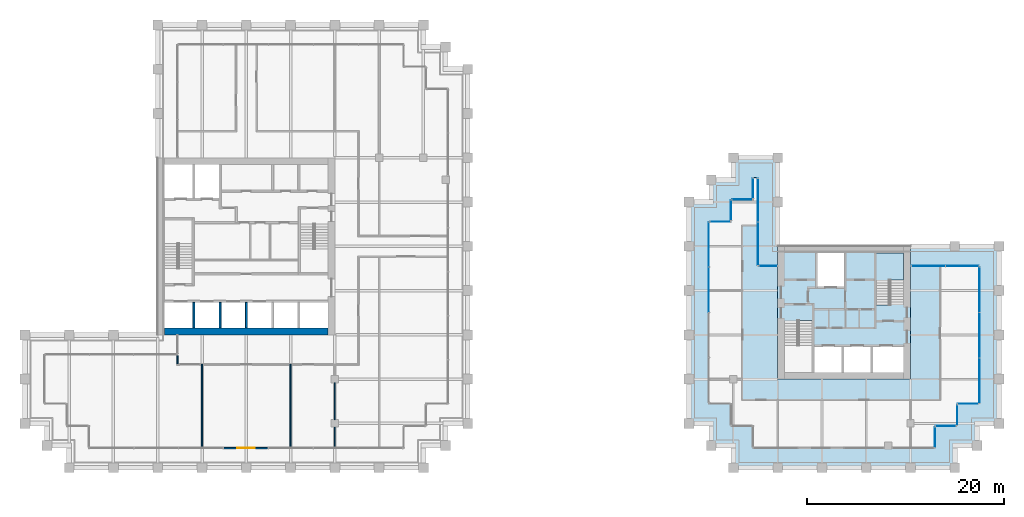
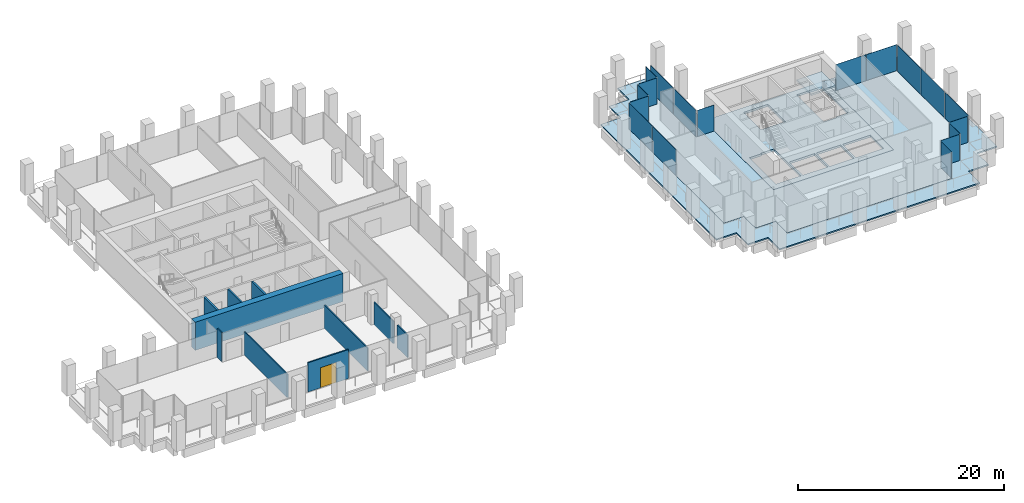
# One storey, part 40 of 46: 18 plates, 10 walls, 4 slabs, 1 door, 1 opening, 14 elements without a shape of their own.
"""IFC4 building model written with IfcOpenShell, lengths in metres."""

import ifcopenshell
import ifcopenshell.guid

model = None  # the IFC model being written
_history = None  # IfcOwnerHistory: only IFC2X3 demands one
_inside = {}  # id of a spatial element -> (the spatial element, [elements in it])
_under = {}  # id of a project, library or spatial element -> (it, [spatial elements below it])
_declared = {}  # id of a project -> (the project, [libraries it declares])
_typed = {}  # id of a type object -> (the type object, [elements of that type])
_made_of = {}  # id of a material, layer set ... -> (it, [elements and type objects made of it])


def new_model(schema):
    """Start an empty IFC model of exactly this schema.

    Asked for "IFC4X3", IfcOpenShell would pick the latest addendum, in which some entities
    have other attributes; the version numbers below select the first issue.
    IFC2X3 requires an IfcOwnerHistory on every rooted entity: one is made here for all.
    """
    global model, _history
    if schema == "IFC4X3":
        model = ifcopenshell.file(schema_version=(4, 3, 0, 0))
    else:
        model = ifcopenshell.file(schema=schema)
    _inside.clear()
    _under.clear()
    _declared.clear()
    _typed.clear()
    _made_of.clear()
    _history = None
    if model.schema == "IFC2X3":
        org = make("IfcOrganization", Name="unknown")
        user = make(
            "IfcPersonAndOrganization",
            ThePerson=make("IfcPerson", FamilyName="unknown"),
            TheOrganization=org,
        )
        app = make(
            "IfcApplication",
            ApplicationDeveloper=org,
            Version="unknown",
            ApplicationFullName="unknown",
            ApplicationIdentifier="unknown",
        )
        _history = make(
            "IfcOwnerHistory",
            OwningUser=user,
            OwningApplication=app,
            ChangeAction="ADDED",
            CreationDate=0,
        )
    return model


def make(cls, **values):
    """One entity of the class cls with the attributes given. An attribute that is None is left unset."""
    return model.create_entity(
        cls, **{name: value for name, value in values.items() if value is not None}
    )


def rooted(cls, **values):
    """An entity with a GlobalId (a new one), such as an element, a storey or a relation."""
    return make(cls, GlobalId=ifcopenshell.guid.new(), OwnerHistory=_history, **values)


def si_unit(unit_type, name, prefix=None):
    """IfcSIUnit, for example si_unit("LENGTHUNIT", "METRE", prefix="MILLI")."""
    return make("IfcSIUnit", UnitType=unit_type, Prefix=prefix, Name=name)


def assignment(units):
    """IfcUnitAssignment: the units of a project."""
    return None if units is None else make("IfcUnitAssignment", Units=units)


def point(xyz):
    """IfcCartesianPoint."""
    return None if xyz is None else make("IfcCartesianPoint", Coordinates=xyz)


def direction(xyz):
    """IfcDirection."""
    return None if xyz is None else make("IfcDirection", DirectionRatios=xyz)


def frame(location, z_axis=None, x_axis=None):
    """IfcAxis2Placement3D, a coordinate frame: its origin and axes. An axis left out is left unset."""
    return make(
        "IfcAxis2Placement3D",
        Location=point(location),
        Axis=direction(z_axis),
        RefDirection=direction(x_axis),
    )


def frame_2d(location, x_axis=None):
    """IfcAxis2Placement2D, a coordinate frame in the plane: its origin and x axis."""
    return make(
        "IfcAxis2Placement2D", Location=point(location), RefDirection=direction(x_axis)
    )


def origin():
    """The frame at (0, 0, 0) with its axes left unset."""
    return frame((0.0, 0.0, 0.0))


def origin_2d():
    """The frame at (0, 0) in the plane with its x axis left unset."""
    return frame_2d((0.0, 0.0))


def place(relative_to, where):
    """IfcLocalPlacement: puts the frame where relative to a parent placement (None: the world)."""
    return make(
        "IfcLocalPlacement", PlacementRelTo=relative_to, RelativePlacement=where
    )


def context(
    kind, dimensions, precision=None, world=None, true_north=None, identifier=None
):
    """IfcGeometricRepresentationContext, for example the 3D "Model" context."""
    return make(
        "IfcGeometricRepresentationContext",
        ContextIdentifier=identifier,
        ContextType=kind,
        CoordinateSpaceDimension=dimensions,
        Precision=precision,
        WorldCoordinateSystem=world,
        TrueNorth=true_north,
    )


def subcontext(parent, identifier, kind, view, scale=None):
    """IfcGeometricRepresentationSubContext, for example "Body" below "Model"."""
    return make(
        "IfcGeometricRepresentationSubContext",
        ContextIdentifier=identifier,
        ContextType=kind,
        ParentContext=parent,
        TargetScale=scale,
        TargetView=view,
    )


def project(units=None, contexts=None):
    """IfcProject with its units and contexts."""
    return rooted(
        "IfcProject",
        Name="project",
        RepresentationContexts=contexts,
        UnitsInContext=assignment(units),
    )


def spatial(cls, under=None, at=None, **own):
    """A site, building, storey or space (cls), placed at a placement, below another one or the project."""
    s = rooted(cls, ObjectPlacement=at, **own)
    if under is not None:
        _under.setdefault(under.id(), (under, []))[1].append(s)
    return s


def polyline(points):
    """IfcPolyline through the points."""
    return make("IfcPolyline", Points=[point(p) for p in points])


def profile(cls, at=None, kind="AREA", **sizes):
    """A parametric profile (cls). Its sizes go by their IFC names, for example OverallWidth=200.0."""
    return make(cls, ProfileType=kind, Position=at, **sizes)


def rectangle(**sizes):
    """IfcRectangleProfileDef."""
    return profile("IfcRectangleProfileDef", **sizes)


def outline(outer, holes=None, kind="AREA"):
    """IfcArbitraryClosedProfileDef: a profile drawn as a closed curve; with holes, ...WithVoids."""
    if holes is None:
        return make("IfcArbitraryClosedProfileDef", ProfileType=kind, OuterCurve=outer)
    return make(
        "IfcArbitraryProfileDefWithVoids",
        ProfileType=kind,
        OuterCurve=outer,
        InnerCurves=holes,
    )


def extrude(swept, where, along, depth):
    """IfcExtrudedAreaSolid: the profile swept, set in the frame where, extruded along a direction by depth."""
    return make(
        "IfcExtrudedAreaSolid",
        SweptArea=swept,
        Position=where,
        ExtrudedDirection=direction(along),
        Depth=depth,
    )


def shape(context_of_items, identifier, shape_type, items):
    """IfcShapeRepresentation: the items that make up one representation, for example the "Body"."""
    return make(
        "IfcShapeRepresentation",
        ContextOfItems=context_of_items,
        RepresentationIdentifier=identifier,
        RepresentationType=shape_type,
        Items=items,
    )


def material(Name=None, Category=None):
    """IfcMaterial."""
    return make("IfcMaterial", Name=Name, Category=Category)


def layer(
    of_material, thickness, ventilated=None, Name=None, Category=None, Priority=None
):
    """IfcMaterialLayer: one layer of a wall or slab, of a material (None: an air gap)."""
    return make(
        "IfcMaterialLayer",
        Material=of_material,
        LayerThickness=thickness,
        IsVentilated=ventilated,
        Name=Name,
        Category=Category,
        Priority=Priority,
    )


def layer_set(layers, Name=None):
    """IfcMaterialLayerSet."""
    return make("IfcMaterialLayerSet", MaterialLayers=layers, LayerSetName=Name)


def made_of(thing, what):
    """Note that an element or type object is made of a material, layer set ...; save() writes the relation."""
    if what is not None:
        _made_of.setdefault(what.id(), (what, []))[1].append(thing)
    return thing


def type_object(cls, material=None, **own):
    """A type object (cls), such as IfcWallType, which elements share."""
    return made_of(rooted(cls, **own), material)


def element(
    cls,
    number,
    at=None,
    inside=None,
    cuts=None,
    type_object=None,
    material=None,
    context=None,
    identifier="Body",
    shape_type=None,
    held_by="IfcProductDefinitionShape",
    body=None,
    shapes=None,
    **own,
):
    """One element of the class cls, such as IfcWall. Its Tag is "e" and its number.

    at: its placement. inside: the storey or other place that contains it. cuts: it is an
    opening in that element (IfcRelVoidsElement). A single representation is given by context,
    identifier, shape_type and body (its items); several are given by shapes. held_by: the class
    of the entity that holds the representations. save() writes the other relations.
    """
    e = rooted(cls, Tag="e%d" % number, ObjectPlacement=at, **own)
    if body is not None:
        shapes = [shape(context, identifier, shape_type, body)]
    if shapes is not None:
        e.Representation = make(held_by, Representations=shapes)
    if inside is not None:
        _inside.setdefault(inside.id(), (inside, []))[1].append(e)
    if cuts is not None:
        rooted(
            "IfcRelVoidsElement", RelatingBuildingElement=cuts, RelatedOpeningElement=e
        )
    if type_object is not None:
        _typed.setdefault(type_object.id(), (type_object, []))[1].append(e)
    return made_of(e, material)


def fill(opening, filler):
    """IfcRelFillsElement: the door or window that sits in an opening."""
    return rooted(
        "IfcRelFillsElement",
        RelatingOpeningElement=opening,
        RelatedBuildingElement=filler,
    )


def aggregate(whole, parts):
    """IfcRelAggregates: a whole, such as a stair, and the parts it consists of."""
    return rooted("IfcRelAggregates", RelatingObject=whole, RelatedObjects=parts)


def save(model, path):
    """Write the relations noted so far, then the file.

    IfcRelAggregates (storeys below a building ...), IfcRelContainedInSpatialStructure (elements
    in a storey), IfcRelDefinesByType, IfcRelAssociatesMaterial and IfcRelDeclares: one each for
    every whole, place, type object, material and project.
    """
    for whole, parts in _under.values():
        aggregate(whole, parts)
    for where, things in _inside.values():
        rooted(
            "IfcRelContainedInSpatialStructure",
            RelatedElements=things,
            RelatingStructure=where,
        )
    for kind, things in _typed.values():
        rooted("IfcRelDefinesByType", RelatedObjects=things, RelatingType=kind)
    for what, things in _made_of.values():
        rooted("IfcRelAssociatesMaterial", RelatedObjects=things, RelatingMaterial=what)
    for by, libraries in _declared.values():
        rooted("IfcRelDeclares", RelatingContext=by, RelatedDefinitions=libraries)
    model.write(path)


model = new_model("IFC4")

# Units and contexts
model_context = context("Model", 3, precision=1e-05, world=origin(), true_north=direction((0.0, 1.0)))
body_context = subcontext(model_context, "Body", "Model", "MODEL_VIEW")
ifc_project = project(units=[si_unit("LENGTHUNIT", "METRE"), si_unit("AREAUNIT", "SQUARE_METRE"), si_unit("VOLUMEUNIT", "CUBIC_METRE"), si_unit("PLANEANGLEUNIT", "RADIAN"), si_unit("MASSUNIT", "GRAM", prefix="KILO")], contexts=[model_context])

# Site, building, storey
site_placement = place(None, origin())
site = spatial("IfcSite", under=ifc_project, at=site_placement, CompositionType="ELEMENT")
building_placement = place(site_placement, origin())
building = spatial("IfcBuilding", under=site, at=building_placement, Name="Altepetl Exchange Towers", CompositionType="ELEMENT")
storey_placement = place(building_placement, frame((0.0, 0.0, 102.800048828125)))
storey = spatial("IfcBuildingStorey", under=building, at=storey_placement, Name="L25", CompositionType="ELEMENT", Elevation=102.800048828125)

# Slabs
ifc_material_1 = material(Name="Concrete C40/50", Category="concrete")
ifc_layer_1 = layer(ifc_material_1, 0.14990234375)
ifc_layer_set_1 = layer_set([ifc_layer_1], Name="Concrete C40/50")
slab_type_1 = type_object("IfcSlabType", Name="Composite floor slab 150", PredefinedType="FLOOR", material=ifc_layer_set_1)
slab_1_placement = place(storey_placement, frame((0.0, 0.0, -0.150146484375)))
element("IfcSlab", 1, at=slab_1_placement, inside=storey, type_object=slab_type_1, Name="slab:B:L25:strip0", PredefinedType="FLOOR", context=body_context, shape_type="SweptSolid", body=[
    extrude(outline(polyline([(98.75, 54.25), (98.75, 52.0), (96.5, 52.0), (96.5, 33.5), (98.75, 33.5), (98.75, 31.25), (101.0, 31.25), (101.0, 29.0), (119.5, 29.0), (119.5, 31.25), (121.75, 31.25), (121.75, 33.5), (124.0, 33.5), (124.0, 47.5), (117.0, 47.5), (117.0, 36.0), (103.5, 36.0), (103.5, 47.5), (101.5, 47.5), (101.5, 56.5), (101.0, 56.5), (101.0, 54.25), (98.75, 54.25)])), origin(), (0.0, 0.0, 1.0), 0.150146484375),
])
ifc_layer_2 = layer(ifc_material_1, 0.25)
ifc_layer_set_2 = layer_set([ifc_layer_2], Name="Concrete C40/50")
slab_type_2 = type_object("IfcSlabType", Name="Core floor slab 250", PredefinedType="FLOOR", material=ifc_layer_set_2)
slab_2_placement = place(storey_placement, frame((0.0, 0.0, -0.25)))
element("IfcSlab", 2, at=slab_2_placement, inside=storey, type_object=slab_type_2, Name="slab:B:L25:core0", PredefinedType="FLOOR", context=body_context, shape_type="SweptSolid", body=[
    extrude(outline(polyline([(103.5, 36.0), (117.0, 36.0), (117.0, 49.5), (103.5, 49.5), (103.5, 36.0)]), holes=[polyline([(107.199951171875, 36.699951171875), (107.199951171875, 39.300048828125), (110.032958984375, 39.300048828125), (110.032958984375, 36.699951171875), (107.199951171875, 36.699951171875)]), polyline([(110.23291015625, 39.300048828125), (112.967041015625, 39.300048828125), (112.967041015625, 36.699951171875), (110.23291015625, 36.699951171875), (110.23291015625, 39.300048828125)]), polyline([(113.1669921875, 39.300048828125), (116.300048828125, 39.300048828125), (116.300048828125, 36.699951171875), (113.1669921875, 36.699951171875), (113.1669921875, 39.300048828125)]), polyline([(107.0, 36.699951171875), (104.199951171875, 36.699951171875), (104.199951171875, 41.85009765625), (105.550048828125, 41.85009765625), (105.550048828125, 41.948974609375), (107.0, 41.948974609375), (107.0, 36.699951171875)]), polyline([(116.300048828125, 48.800048828125), (116.300048828125, 43.64990234375), (114.949951171875, 43.64990234375), (114.949951171875, 43.551025390625), (113.5, 43.551025390625), (113.5, 48.800048828125), (116.300048828125, 48.800048828125)]), polyline([(107.532958984375, 48.800048828125), (110.26708984375, 48.800048828125), (110.26708984375, 45.39990234375), (107.532958984375, 45.39990234375), (107.532958984375, 48.800048828125)])]), origin(), (0.0, 0.0, 1.0), 0.25),
])

# Curtain wall, plate
ifc_material_2 = material(Name="Aluminium 6063-T6 glazing", Category="aluminium")
curtain_wall_type = type_object("IfcCurtainWallType", Name="Loggia glazing system", PredefinedType="NOTDEFINED", material=ifc_material_2)
curtain_wall_1_placement = place(storey_placement, origin())
curtain_wall_1 = element("IfcCurtainWall", 3, at=curtain_wall_1_placement, inside=storey, type_object=curtain_wall_type, Name="CW1 run", PredefinedType="NOTDEFINED")
ifc_material_3 = material(Name="Glass 6-16-6 low emissivity", Category="glass")
ifc_layer_3 = layer(ifc_material_3, 0.028076171875)
ifc_layer_set_3 = layer_set([ifc_layer_3], Name="Glass 6-16-6 low emissivity")
plate_type = type_object("IfcPlateType", Name="Glass panel 28 double glazed", PredefinedType="CURTAIN_PANEL", material=ifc_layer_set_3)
plate_1_placement = place(storey_placement, frame((97.66259765625, 52.0, 0.0), z_axis=(0.0, 0.0, 1.0), x_axis=(-1.0, 0.0, 0.0)))
plate_1 = element("IfcPlate", 4, at=plate_1_placement, type_object=plate_type, Name="GP1 panel", PredefinedType="CURTAIN_PANEL", context=body_context, shape_type="SweptSolid", body=[
    extrude(rectangle(XDim=2.054931640625, YDim=0.028076171875, at=origin_2d()), origin(), (0.0, 0.0, 1.0), 3.10009765625),
])
aggregate(curtain_wall_1, [plate_1])

# Curtain wall, plates
curtain_wall_2_placement = place(storey_placement, origin())
curtain_wall_2 = element("IfcCurtainWall", 5, at=curtain_wall_2_placement, inside=storey, type_object=curtain_wall_type, Name="CW1 run", PredefinedType="NOTDEFINED")
plate_2_placement = place(storey_placement, frame((96.5, 49.681884765625, 0.0), z_axis=(0.0, 0.0, 1.0), x_axis=(0.0, -1.0, 0.0)))
plate_2 = element("IfcPlate", 6, at=plate_2_placement, type_object=plate_type, Name="GP1 panel", PredefinedType="CURTAIN_PANEL", context=body_context, shape_type="SweptSolid", body=[
    extrude(rectangle(XDim=4.516357421875, YDim=0.028076171875, at=origin_2d()), origin(), (0.0, 0.0, 1.0), 3.10009765625),
])
plate_3_placement = place(storey_placement, frame((96.5, 45.090576171875, 0.0), z_axis=(0.0, 0.0, 1.0), x_axis=(0.0, -1.0, 0.0)))
plate_3 = element("IfcPlate", 7, at=plate_3_placement, type_object=plate_type, Name="GP1 panel", PredefinedType="CURTAIN_PANEL", context=body_context, shape_type="SweptSolid", body=[
    extrude(rectangle(XDim=4.546142578125, YDim=0.028076171875, at=origin_2d()), origin(), (0.0, 0.0, 1.0), 3.10009765625),
])
aggregate(curtain_wall_2, [plate_2, plate_3])

# Curtain wall, plate
curtain_wall_3_placement = place(storey_placement, origin())
curtain_wall_3 = element("IfcCurtainWall", 8, at=curtain_wall_3_placement, inside=storey, type_object=curtain_wall_type, Name="CW1 run", PredefinedType="NOTDEFINED")
plate_4_placement = place(storey_placement, frame((119.5, 30.08740234375, 0.0), z_axis=(0.0, 0.0, 1.0), x_axis=(0.0, 1.0, 0.0)))
plate_4 = element("IfcPlate", 9, at=plate_4_placement, type_object=plate_type, Name="GP1 panel", PredefinedType="CURTAIN_PANEL", context=body_context, shape_type="SweptSolid", body=[
    extrude(rectangle(XDim=2.054931640625, YDim=0.028076171875, at=origin_2d()), origin(), (0.0, 0.0, 1.0), 3.10009765625),
])
aggregate(curtain_wall_3, [plate_4])

curtain_wall_4_placement = place(storey_placement, origin())
curtain_wall_4 = element("IfcCurtainWall", 10, at=curtain_wall_4_placement, inside=storey, type_object=curtain_wall_type, Name="CW1 run", PredefinedType="NOTDEFINED")
plate_5_placement = place(storey_placement, frame((120.58740234375, 31.25, 0.0)))
plate_5 = element("IfcPlate", 11, at=plate_5_placement, type_object=plate_type, Name="GP1 panel", PredefinedType="CURTAIN_PANEL", context=body_context, shape_type="SweptSolid", body=[
    extrude(rectangle(XDim=2.054931640625, YDim=0.028076171875, at=origin_2d()), origin(), (0.0, 0.0, 1.0), 3.10009765625),
])
aggregate(curtain_wall_4, [plate_5])

curtain_wall_5_placement = place(storey_placement, origin())
curtain_wall_5 = element("IfcCurtainWall", 12, at=curtain_wall_5_placement, inside=storey, type_object=curtain_wall_type, Name="CW1 run", PredefinedType="NOTDEFINED")
plate_6_placement = place(storey_placement, frame((121.75, 32.33740234375, 0.0), z_axis=(0.0, 0.0, 1.0), x_axis=(0.0, 1.0, 0.0)))
plate_6 = element("IfcPlate", 13, at=plate_6_placement, type_object=plate_type, Name="GP1 panel", PredefinedType="CURTAIN_PANEL", context=body_context, shape_type="SweptSolid", body=[
    extrude(rectangle(XDim=2.054931640625, YDim=0.028076171875, at=origin_2d()), origin(), (0.0, 0.0, 1.0), 3.10009765625),
])
aggregate(curtain_wall_5, [plate_6])

curtain_wall_6_placement = place(storey_placement, origin())
curtain_wall_6 = element("IfcCurtainWall", 14, at=curtain_wall_6_placement, inside=storey, type_object=curtain_wall_type, Name="CW1 run", PredefinedType="NOTDEFINED")
plate_7_placement = place(storey_placement, frame((122.83740234375, 33.5, 0.0)))
plate_7 = element("IfcPlate", 15, at=plate_7_placement, type_object=plate_type, Name="GP1 panel", PredefinedType="CURTAIN_PANEL", context=body_context, shape_type="SweptSolid", body=[
    extrude(rectangle(XDim=2.054931640625, YDim=0.028076171875, at=origin_2d()), origin(), (0.0, 0.0, 1.0), 3.10009765625),
])
aggregate(curtain_wall_6, [plate_7])

# Curtain wall, plates
curtain_wall_7_placement = place(storey_placement, origin())
curtain_wall_7 = element("IfcCurtainWall", 16, at=curtain_wall_7_placement, inside=storey, type_object=curtain_wall_type, Name="CW1 run", PredefinedType="NOTDEFINED")
plate_8_placement = place(storey_placement, frame((124.0, 35.8359375, 0.0), z_axis=(0.0, 0.0, 1.0), x_axis=(0.0, 1.0, 0.0)))
plate_8 = element("IfcPlate", 17, at=plate_8_placement, type_object=plate_type, Name="GP1 panel", PredefinedType="CURTAIN_PANEL", context=body_context, shape_type="SweptSolid", body=[
    extrude(rectangle(XDim=4.5517578125, YDim=0.028076171875, at=origin_2d()), origin(), (0.0, 0.0, 1.0), 3.10009765625),
])
plate_9_placement = place(storey_placement, frame((124.0, 40.46240234375, 0.0), z_axis=(0.0, 0.0, 1.0), x_axis=(0.0, 1.0, 0.0)))
plate_9 = element("IfcPlate", 18, at=plate_9_placement, type_object=plate_type, Name="GP1 panel", PredefinedType="CURTAIN_PANEL", context=body_context, shape_type="SweptSolid", body=[
    extrude(rectangle(XDim=4.581787109375, YDim=0.028076171875, at=origin_2d()), origin(), (0.0, 0.0, 1.0), 3.10009765625),
])
plate_10_placement = place(storey_placement, frame((124.0, 45.089111328125, 0.0), z_axis=(0.0, 0.0, 1.0), x_axis=(0.0, 1.0, 0.0)))
plate_10 = element("IfcPlate", 19, at=plate_10_placement, type_object=plate_type, Name="GP1 panel", PredefinedType="CURTAIN_PANEL", context=body_context, shape_type="SweptSolid", body=[
    extrude(rectangle(XDim=4.5517578125, YDim=0.028076171875, at=origin_2d()), origin(), (0.0, 0.0, 1.0), 3.10009765625),
])
aggregate(curtain_wall_7, [plate_8, plate_9, plate_10])

curtain_wall_8_placement = place(storey_placement, origin())
curtain_wall_8 = element("IfcCurtainWall", 20, at=curtain_wall_8_placement, inside=storey, type_object=curtain_wall_type, Name="CW1 run", PredefinedType="NOTDEFINED")
plate_11_placement = place(storey_placement, frame((122.253662109375, 47.5, 0.0), z_axis=(0.0, 0.0, 1.0), x_axis=(-1.0, 0.0, 0.0)))
plate_11 = element("IfcPlate", 21, at=plate_11_placement, type_object=plate_type, Name="GP1 panel", PredefinedType="CURTAIN_PANEL", context=body_context, shape_type="SweptSolid", body=[
    extrude(rectangle(XDim=3.37255859375, YDim=0.028076171875, at=origin_2d()), origin(), (0.0, 0.0, 1.0), 3.10009765625),
])
plate_12_placement = place(storey_placement, frame((118.8212890625, 47.5, 0.0), z_axis=(0.0, 0.0, 1.0), x_axis=(-1.0, 0.0, 0.0)))
plate_12 = element("IfcPlate", 22, at=plate_12_placement, type_object=plate_type, Name="GP1 panel", PredefinedType="CURTAIN_PANEL", context=body_context, shape_type="SweptSolid", body=[
    extrude(rectangle(XDim=3.37255859375, YDim=0.028076171875, at=origin_2d()), origin(), (0.0, 0.0, 1.0), 3.10009765625),
])
aggregate(curtain_wall_8, [plate_11, plate_12])

# Curtain wall, plate
curtain_wall_9_placement = place(storey_placement, origin())
curtain_wall_9 = element("IfcCurtainWall", 23, at=curtain_wall_9_placement, inside=storey, type_object=curtain_wall_type, Name="CW1 run", PredefinedType="NOTDEFINED")
plate_13_placement = place(storey_placement, frame((102.53759765625, 47.5, 0.0), z_axis=(0.0, 0.0, 1.0), x_axis=(-1.0, 0.0, 0.0)))
plate_13 = element("IfcPlate", 24, at=plate_13_placement, type_object=plate_type, Name="GP1 panel", PredefinedType="CURTAIN_PANEL", context=body_context, shape_type="SweptSolid", body=[
    extrude(rectangle(XDim=1.804931640625, YDim=0.028076171875, at=origin_2d()), origin(), (0.0, 0.0, 1.0), 3.10009765625),
])
aggregate(curtain_wall_9, [plate_13])

# Curtain wall, plates
curtain_wall_10_placement = place(storey_placement, origin())
curtain_wall_10 = element("IfcCurtainWall", 25, at=curtain_wall_10_placement, inside=storey, type_object=curtain_wall_type, Name="CW1 run", PredefinedType="NOTDEFINED")
plate_14_placement = place(storey_placement, frame((101.5, 49.746337890625, 0.0), z_axis=(0.0, 0.0, 1.0), x_axis=(0.0, 1.0, 0.0)))
plate_14 = element("IfcPlate", 26, at=plate_14_placement, type_object=plate_type, Name="GP1 panel", PredefinedType="CURTAIN_PANEL", context=body_context, shape_type="SweptSolid", body=[
    extrude(rectangle(XDim=4.37255859375, YDim=0.028076171875, at=origin_2d()), origin(), (0.0, 0.0, 1.0), 3.10009765625),
])
plate_15_placement = place(storey_placement, frame((101.5, 54.1787109375, 0.0), z_axis=(0.0, 0.0, 1.0), x_axis=(0.0, 1.0, 0.0)))
plate_15 = element("IfcPlate", 27, at=plate_15_placement, type_object=plate_type, Name="GP1 panel", PredefinedType="CURTAIN_PANEL", context=body_context, shape_type="SweptSolid", body=[
    extrude(rectangle(XDim=4.37255859375, YDim=0.028076171875, at=origin_2d()), origin(), (0.0, 0.0, 1.0), 3.10009765625),
])
aggregate(curtain_wall_10, [plate_14, plate_15])

# Curtain wall, plate
curtain_wall_11_placement = place(storey_placement, origin())
curtain_wall_11 = element("IfcCurtainWall", 28, at=curtain_wall_11_placement, inside=storey, type_object=curtain_wall_type, Name="CW1 run", PredefinedType="NOTDEFINED")
plate_16_placement = place(storey_placement, frame((101.0, 55.41259765625, 0.0), z_axis=(0.0, 0.0, 1.0), x_axis=(0.0, -1.0, 0.0)))
plate_16 = element("IfcPlate", 29, at=plate_16_placement, type_object=plate_type, Name="GP1 panel", PredefinedType="CURTAIN_PANEL", context=body_context, shape_type="SweptSolid", body=[
    extrude(rectangle(XDim=2.054931640625, YDim=0.028076171875, at=origin_2d()), origin(), (0.0, 0.0, 1.0), 3.10009765625),
])
aggregate(curtain_wall_11, [plate_16])

curtain_wall_12_placement = place(storey_placement, origin())
curtain_wall_12 = element("IfcCurtainWall", 30, at=curtain_wall_12_placement, inside=storey, type_object=curtain_wall_type, Name="CW1 run", PredefinedType="NOTDEFINED")
plate_17_placement = place(storey_placement, frame((99.91259765625, 54.25, 0.0), z_axis=(0.0, 0.0, 1.0), x_axis=(-1.0, 0.0, 0.0)))
plate_17 = element("IfcPlate", 31, at=plate_17_placement, type_object=plate_type, Name="GP1 panel", PredefinedType="CURTAIN_PANEL", context=body_context, shape_type="SweptSolid", body=[
    extrude(rectangle(XDim=2.054931640625, YDim=0.028076171875, at=origin_2d()), origin(), (0.0, 0.0, 1.0), 3.10009765625),
])
aggregate(curtain_wall_12, [plate_17])

curtain_wall_13_placement = place(storey_placement, origin())
curtain_wall_13 = element("IfcCurtainWall", 32, at=curtain_wall_13_placement, inside=storey, type_object=curtain_wall_type, Name="CW1 run", PredefinedType="NOTDEFINED")
plate_18_placement = place(storey_placement, frame((98.75, 53.16259765625, 0.0), z_axis=(0.0, 0.0, 1.0), x_axis=(0.0, -1.0, 0.0)))
plate_18 = element("IfcPlate", 33, at=plate_18_placement, type_object=plate_type, Name="GP1 panel", PredefinedType="CURTAIN_PANEL", context=body_context, shape_type="SweptSolid", body=[
    extrude(rectangle(XDim=2.054931640625, YDim=0.028076171875, at=origin_2d()), origin(), (0.0, 0.0, 1.0), 3.10009765625),
])
aggregate(curtain_wall_13, [plate_18])

# Slab
ifc_layer_4 = layer(ifc_material_1, 0.14990234375)
ifc_layer_set_4 = layer_set([ifc_layer_4], Name="Concrete C40/50")
slab_type_3 = type_object("IfcSlabType", Name="Loggia slab 150", PredefinedType="FLOOR", material=ifc_layer_set_4)
slab_3_placement = place(storey_placement, frame((0.0, 0.0, -0.150146484375)))
element("IfcSlab", 34, at=slab_3_placement, inside=storey, type_object=slab_type_3, Name="slab:B:L25:loggia0", PredefinedType="FLOOR", context=body_context, shape_type="SweptSolid", body=[
    extrude(outline(polyline([(96.75, 54.0), (94.5, 54.0), (94.5, 36.0), (94.5, 31.5), (96.75, 31.5), (96.75, 29.25), (99.0, 29.25), (99.0, 27.0), (117.0, 27.0), (121.5, 27.0), (121.5, 29.25), (123.75, 29.25), (123.75, 31.5), (126.0, 31.5), (126.0, 49.5), (117.0, 49.5), (117.0, 47.5), (124.0, 47.5), (124.0, 33.5), (121.75, 33.5), (121.75, 31.25), (119.5, 31.25), (119.5, 29.0), (101.0, 29.0), (101.0, 31.25), (98.75, 31.25), (98.75, 33.5), (96.5, 33.5), (96.5, 52.0), (98.75, 52.0), (98.75, 54.25), (101.0, 54.25), (101.0, 56.5), (101.5, 56.5), (101.5, 47.5), (103.5, 47.5), (103.5, 49.5), (103.5, 58.5), (99.0, 58.5), (99.0, 56.25), (96.75, 56.25), (96.75, 54.0)])), origin(), (0.0, 0.0, 1.0), 0.150146484375),
])

# Stair, slab
stair_type = type_object("IfcStairType", Name="Exit stair 1350 flights dogleg", PredefinedType="HALF_TURN_STAIR", material=ifc_material_1)
stair_placement = place(storey_placement, origin())
stair = element("IfcStair", 35, at=stair_placement, inside=storey, type_object=stair_type, Name="Exit stair 2", PredefinedType="HALF_TURN_STAIR")
ifc_layer_5 = layer(ifc_material_1, 0.199951171875)
ifc_layer_set_5 = layer_set([ifc_layer_5], Name="Concrete C40/50")
slab_type_4 = type_object("IfcSlabType", Name="Stair landing 200 reinforced concrete", PredefinedType="LANDING", material=ifc_layer_set_5)
slab_4_placement = place(storey_placement, frame((0.0, 0.0, 1.599853515625)))
slab_4 = element("IfcSlab", 36, at=slab_4_placement, type_object=slab_type_4, Name="ST-B2d landing 1", PredefinedType="LANDING", context=body_context, shape_type="SweptSolid", body=[
    extrude(outline(polyline([(114.85009765625, 45.969970703125), (113.5, 45.969970703125), (113.5, 46.070068359375), (113.5, 48.800048828125), (116.300048828125, 48.800048828125), (116.300048828125, 46.070068359375), (116.300048828125, 46.0693359375), (114.949951171875, 46.0693359375), (114.949951171875, 46.070068359375), (114.85009765625, 46.070068359375), (114.85009765625, 45.969970703125)])), origin(), (0.0, 0.0, 1.0), 0.2001953125),
])
aggregate(stair, [slab_4])

# Wall
ifc_material_4 = material(Name="Concrete C70/85", Category="concrete")
ifc_layer_6 = layer(ifc_material_4, 0.699951171875)
ifc_layer_set_6 = layer_set([ifc_layer_6], Name="Concrete C70/85")
wall_type_1 = type_object("IfcWallType", Name="Core wall 700 reinforced concrete", PredefinedType="SHEAR", material=ifc_layer_set_6)
wall_1_placement = place(storey_placement, frame((41.199951171875, 40.85009765625, 0.0)))
element("IfcWall", 37, at=wall_1_placement, inside=storey, type_object=wall_type_1, Name="wall:A:L25:K-coreS", PredefinedType="SHEAR", context=body_context, shape_type="SweptSolid", body=[
    extrude(rectangle(XDim=16.60009765625, YDim=0.699951171875, at=frame_2d((8.300048828125, 0.0))), origin(), (0.0, 0.0, 1.0), 3.349853515625),
])

# Wall, opening, door
ifc_material_5 = material(Name="Aluminium composite cladding", Category="aluminium")
ifc_layer_7 = layer(ifc_material_5, 0.14990234375)
ifc_layer_set_7 = layer_set([ifc_layer_7], Name="Aluminium composite cladding")
wall_type_2 = type_object("IfcWallType", Name="Infill wall 150 aluminium panel", PredefinedType="SOLIDWALL", material=ifc_layer_set_7)
wall_2_placement = place(storey_placement, frame((47.18212890625, 29.0, 0.0)))
wall_2 = element("IfcWall", 38, at=wall_2_placement, inside=storey, type_object=wall_type_2, Name="Loggia door bay wall", PredefinedType="SOLIDWALL", context=body_context, shape_type="SweptSolid", body=[
    extrude(rectangle(XDim=4.560791015625, YDim=0.14990234375, at=frame_2d((2.2802734375, 0.0))), origin(), (0.0, 0.0, 1.0), 3.449951171875),
])
opening_placement = place(wall_2_placement, frame((1.38037109375, 0.0, 0.0)))
opening = element("IfcOpeningElement", 39, at=opening_placement, cuts=wall_2, Name="Opening L25.A90", PredefinedType="OPENING", context=body_context, shape_type="SweptSolid", body=[
    extrude(rectangle(XDim=1.800048828125, YDim=2.39990234375, at=frame_2d((0.89990234375, 1.199951171875))), frame((0.0, 0.0849609375, 0.0), z_axis=(0.0, -1.0, 0.0), x_axis=(1.0, 0.0, 0.0)), (0.0, 0.0, 1.0), 0.169921875),
])
ifc_material_6 = material(Name="Aluminium 6063-T6 and glass", Category="aluminium")
door_type = type_object("IfcDoorType", Name="Glazed door pair 1800x2400", OperationType="DOUBLE_DOOR_DOUBLE_SWING", PredefinedType="NOTDEFINED", material=ifc_material_6)
door_placement = place(opening_placement, frame((1.800048828125, 0.0, 0.0), x_axis=(-1.0, 0.0, 0.0)))
door = element("IfcDoor", 40, at=door_placement, inside=storey, type_object=door_type, Name="Loggia door", OperationType="DOUBLE_DOOR_DOUBLE_SWING", OverallHeight=2.39990234375, OverallWidth=1.800048828125, PredefinedType="NOTDEFINED", context=body_context, shape_type="SweptSolid", body=[
    extrude(rectangle(XDim=1.800048828125, YDim=2.39990234375, at=frame_2d((0.89990234375, 1.199951171875))), frame((0.0, 0.02490234375, 0.0), z_axis=(0.0, -1.0, 0.0), x_axis=(1.0, 0.0, 0.0)), (0.0, 0.0, 1.0), 0.050048828125),
])
fill(opening, door)

# Walls
ifc_material_7 = material(Name="Gypsum board on steel studs", Category="steel")
ifc_layer_8 = layer(ifc_material_7, 0.125)
ifc_layer_set_8 = layer_set([ifc_layer_8], Name="Gypsum board on steel studs")
wall_type_3 = type_object("IfcWallType", Name="Partition 125 gypsum board on steel studs", PredefinedType="PARTITIONING", material=ifc_layer_set_8)
wall_3_placement = place(storey_placement, frame((42.5, 37.5625, 0.0), z_axis=(0.0, 0.0, 1.0), x_axis=(0.0, 1.0, 0.0)))
element("IfcWall", 41, at=wall_3_placement, inside=storey, type_object=wall_type_3, Name="wall:A:L25:P06", PredefinedType="PARTITIONING", context=body_context, shape_type="SweptSolid", body=[
    extrude(rectangle(XDim=0.83740234375, YDim=0.125, at=frame_2d((0.418701171875, 0.0))), origin(), (0.0, 0.0, 1.0), 3.449951171875),
])
for number, where, z_axis, x_axis, name in (
    (42, (45.0, 29.10009765625, 0.0), (0.0, 0.0, 1.0), (0.0, 1.0, 0.0), "wall:A:L25:P07"),
    (43, (54.0, 29.10009765625, 0.0), (0.0, 0.0, 1.0), (0.0, 1.0, 0.0), "wall:A:L25:P10"),
):
    element("IfcWall", number, at=place(storey_placement, frame(where, z_axis=z_axis, x_axis=x_axis)), inside=storey, type_object=wall_type_3, Name=name, PredefinedType="PARTITIONING", context=body_context, shape_type="SweptSolid", body=[
        extrude(rectangle(XDim=8.39990234375, YDim=0.125, at=frame_2d((4.199951171875, 0.0))), origin(), (0.0, 0.0, 1.0), 2.765869140625),
    ])
wall_4_placement = place(storey_placement, frame((58.5, 29.10009765625, 0.0), z_axis=(0.0, 0.0, 1.0), x_axis=(0.0, 1.0, 0.0)))
element("IfcWall", 44, at=wall_4_placement, inside=storey, type_object=wall_type_3, Name="wall:A:L25:P11", PredefinedType="PARTITIONING", context=body_context, shape_type="SweptSolid", body=[
    extrude(rectangle(XDim=2.02490234375, YDim=0.125, at=frame_2d((1.012451171875, 0.0))), origin(), (0.0, 0.0, 1.0), 2.676025390625),
])
wall_5_placement = place(storey_placement, frame((58.5, 31.875, 0.0), z_axis=(0.0, 0.0, 1.0), x_axis=(0.0, 1.0, 0.0)))
element("IfcWall", 45, at=wall_5_placement, inside=storey, type_object=wall_type_3, Name="wall:A:L25:P12", PredefinedType="PARTITIONING", context=body_context, shape_type="SweptSolid", body=[
    extrude(rectangle(XDim=3.75, YDim=0.125, at=frame_2d((1.875, 0.0))), origin(), (0.0, 0.0, 1.0), 2.676025390625),
])
ifc_layer_9 = layer(ifc_material_1, 0.199951171875)
ifc_layer_set_9 = layer_set([ifc_layer_9], Name="Concrete C40/50")
wall_type_4 = type_object("IfcWallType", Name="Shaft wall 200 reinforced concrete", PredefinedType="SHEAR", material=ifc_layer_set_9)
for number, where, z_axis, x_axis, name in (
    (46, (44.166748046875, 41.199951171875, 0.0), (0.0, 0.0, 1.0), (0.0, 1.0, 0.0), "wall:A:L25:K-divS1"),
    (47, (46.833251953125, 41.199951171875, 0.0), (0.0, 0.0, 1.0), (0.0, 1.0, 0.0), "wall:A:L25:K-divS2"),
    (48, (49.5, 41.199951171875, 0.0), (0.0, 0.0, 1.0), (0.0, 1.0, 0.0), "wall:A:L25:K-divS3"),
):
    element("IfcWall", number, at=place(storey_placement, frame(where, z_axis=z_axis, x_axis=x_axis)), inside=storey, type_object=wall_type_4, Name=name, PredefinedType="SHEAR", context=body_context, shape_type="SweptSolid", body=[
        extrude(rectangle(XDim=2.60009765625, YDim=0.199951171875, at=frame_2d((1.300048828125, 0.0))), origin(), (0.0, 0.0, 1.0), 3.349853515625),
    ])

save(model, "model.ifc")
